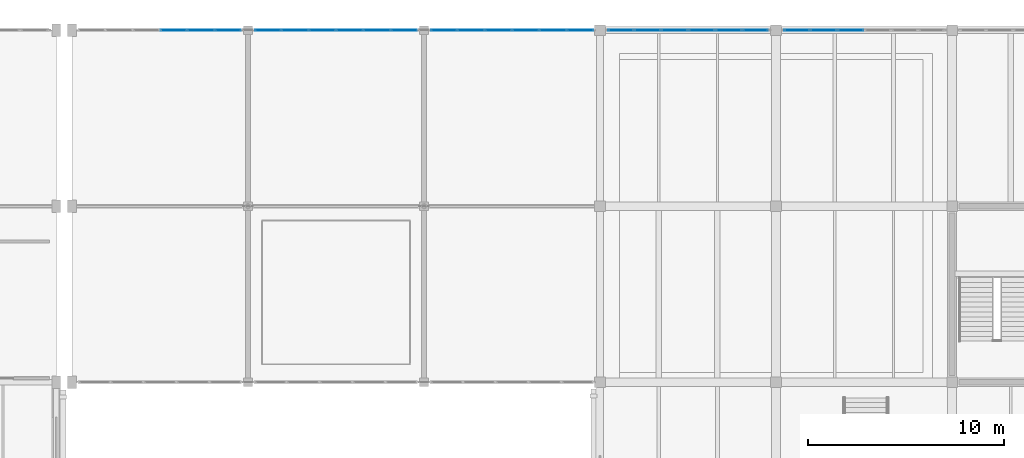
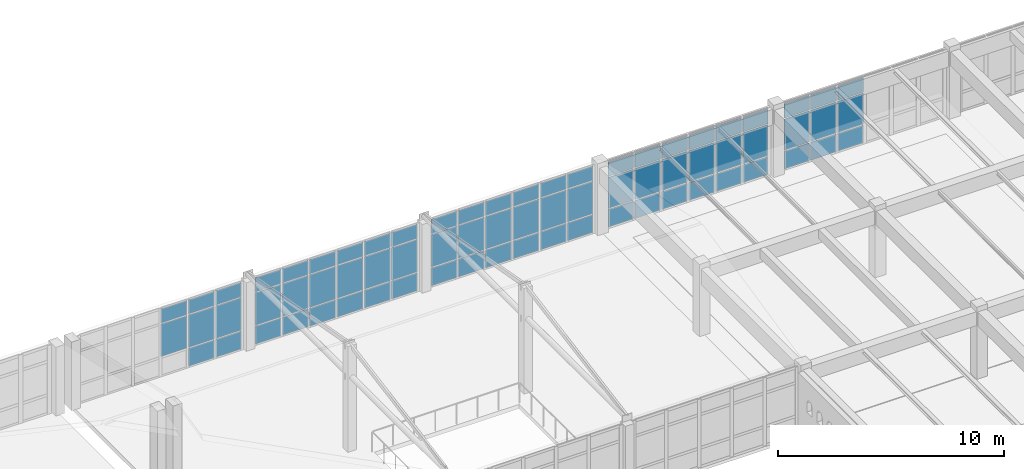
# One storey, part 122 of 156: 71 plates, 5 elements without a shape of their own.
"""IFC4 building model written with IfcOpenShell, lengths in metres."""

from ifc_helpers import new_model, si_unit, direction, frame, origin, origin_2d, place, context, subcontext, project, spatial, rectangle, extrude, material, layer, layer_set, type_object, element, aggregate, save


model = new_model("IFC4")

# Units and contexts
model_context = context("Model", 3, precision=1e-05, world=origin(), true_north=direction((0.0, 1.0)))
body_context = subcontext(model_context, "Body", "Model", "MODEL_VIEW")
ifc_project = project(units=[si_unit("LENGTHUNIT", "METRE"), si_unit("AREAUNIT", "SQUARE_METRE"), si_unit("VOLUMEUNIT", "CUBIC_METRE"), si_unit("PLANEANGLEUNIT", "RADIAN"), si_unit("MASSUNIT", "GRAM", prefix="KILO")], contexts=[model_context])

# Site, building, storey
site_placement = place(None, origin())
site = spatial("IfcSite", under=ifc_project, at=site_placement, CompositionType="ELEMENT")
building_placement = place(site_placement, origin())
building = spatial("IfcBuilding", under=site, at=building_placement, Name="Ornek Quay Market", CompositionType="ELEMENT")
storey_placement = place(building_placement, frame((0.0, 0.0, 4.5)))
storey = spatial("IfcBuildingStorey", under=building, at=storey_placement, Name="L01", CompositionType="ELEMENT", Elevation=4.5)

# Curtain wall, plates
ifc_material_1 = material(Name="Anodised bronze aluminium and triple low-e glass", Category="aluminium")
ifc_layer_1 = layer(ifc_material_1, 0.179931640625, Name="Anodised bronze aluminium and triple low-e glass", Category="aluminium")
ifc_layer_set_1 = layer_set([ifc_layer_1], Name="Anodised bronze aluminium and triple low-e glass")
curtain_wall_type_1 = type_object("IfcCurtainWallType", Name="CW-CONC-MOD1500", PredefinedType="USERDEFINED", material=ifc_layer_set_1)
curtain_wall_1_placement = place(storey_placement, origin())
curtain_wall_1 = element("IfcCurtainWall", 1, at=curtain_wall_1_placement, inside=storey, type_object=curtain_wall_type_1, Name="Curtain wall CW-033", ObjectType="CURTAIN WALL", PredefinedType="USERDEFINED")
ifc_material_2 = material(Name="Triple insulated low-e glass", Category="glass")
ifc_layer_2 = layer(ifc_material_2, 0.035888671875, Name="Triple insulated low-e glass", Category="glass")
ifc_layer_set_2 = layer_set([ifc_layer_2], Name="Triple insulated low-e glass")
plate_type = type_object("IfcPlateType", Name="PL-CW-TRIPLE-36", PredefinedType="CURTAIN_PANEL", material=ifc_layer_set_2)
plate_1_placement = place(storey_placement, frame((131.199951171875, 110.0, 1.080078125), z_axis=(0.0, 0.0, 1.0), x_axis=(1.0, 0.0, 0.0)))
plate_1 = element("IfcPlate", 2, at=plate_1_placement, type_object=plate_type, Name="CW-033 panel 4.2", PredefinedType="CURTAIN_PANEL", context=body_context, shape_type="SweptSolid", body=[
    extrude(rectangle(XDim=1.340087890625, YDim=0.035888671875, at=origin_2d()), origin(), (0.0, 0.0, 1.0), 1.75),
])
plate_2_placement = place(storey_placement, frame((131.199951171875, 110.0, 2.89013671875), z_axis=(0.0, 0.0, 1.0), x_axis=(1.0, 0.0, 0.0)))
plate_2 = element("IfcPlate", 3, at=plate_2_placement, type_object=plate_type, Name="CW-033 panel 4.3", PredefinedType="CURTAIN_PANEL", context=body_context, shape_type="SweptSolid", body=[
    extrude(rectangle(XDim=1.340087890625, YDim=0.035888671875, at=origin_2d()), origin(), (0.0, 0.0, 1.0), 0.760009765625),
])
plate_3_placement = place(storey_placement, frame((132.60009765625, 110.0, 0.06005859375), z_axis=(0.0, 0.0, 1.0), x_axis=(1.0, 0.0, 0.0)))
plate_3 = element("IfcPlate", 4, at=plate_3_placement, type_object=plate_type, Name="CW-033 panel 5.1", PredefinedType="CURTAIN_PANEL", context=body_context, shape_type="SweptSolid", body=[
    extrude(rectangle(XDim=1.340087890625, YDim=0.035888671875, at=origin_2d()), origin(), (0.0, 0.0, 1.0), 0.9599609375),
])
plate_4_placement = place(storey_placement, frame((132.60009765625, 110.0, 1.080078125), z_axis=(0.0, 0.0, 1.0), x_axis=(1.0, 0.0, 0.0)))
plate_4 = element("IfcPlate", 5, at=plate_4_placement, type_object=plate_type, Name="CW-033 panel 5.2", PredefinedType="CURTAIN_PANEL", context=body_context, shape_type="SweptSolid", body=[
    extrude(rectangle(XDim=1.340087890625, YDim=0.035888671875, at=origin_2d()), origin(), (0.0, 0.0, 1.0), 1.75),
])
plate_5_placement = place(storey_placement, frame((132.60009765625, 110.0, 2.89013671875), z_axis=(0.0, 0.0, 1.0), x_axis=(1.0, 0.0, 0.0)))
plate_5 = element("IfcPlate", 6, at=plate_5_placement, type_object=plate_type, Name="CW-033 panel 5.3", PredefinedType="CURTAIN_PANEL", context=body_context, shape_type="SweptSolid", body=[
    extrude(rectangle(XDim=1.340087890625, YDim=0.035888671875, at=origin_2d()), origin(), (0.0, 0.0, 1.0), 0.760009765625),
])
plate_6_placement = place(storey_placement, frame((133.985107421875, 110.0, 0.06005859375), z_axis=(0.0, 0.0, 1.0), x_axis=(1.0, 0.0, 0.0)))
plate_6 = element("IfcPlate", 7, at=plate_6_placement, type_object=plate_type, Name="CW-033 panel 6.1", PredefinedType="CURTAIN_PANEL", context=body_context, shape_type="SweptSolid", body=[
    extrude(rectangle(XDim=1.31005859375, YDim=0.035888671875, at=origin_2d()), origin(), (0.0, 0.0, 1.0), 0.9599609375),
])
plate_7_placement = place(storey_placement, frame((133.985107421875, 110.0, 1.080078125), z_axis=(0.0, 0.0, 1.0), x_axis=(1.0, 0.0, 0.0)))
plate_7 = element("IfcPlate", 8, at=plate_7_placement, type_object=plate_type, Name="CW-033 panel 6.2", PredefinedType="CURTAIN_PANEL", context=body_context, shape_type="SweptSolid", body=[
    extrude(rectangle(XDim=1.31005859375, YDim=0.035888671875, at=origin_2d()), origin(), (0.0, 0.0, 1.0), 1.75),
])
plate_8_placement = place(storey_placement, frame((133.985107421875, 110.0, 2.89013671875), z_axis=(0.0, 0.0, 1.0), x_axis=(1.0, 0.0, 0.0)))
plate_8 = element("IfcPlate", 9, at=plate_8_placement, type_object=plate_type, Name="CW-033 panel 6.3", PredefinedType="CURTAIN_PANEL", context=body_context, shape_type="SweptSolid", body=[
    extrude(rectangle(XDim=1.31005859375, YDim=0.035888671875, at=origin_2d()), origin(), (0.0, 0.0, 1.0), 0.760009765625),
])
aggregate(curtain_wall_1, [plate_1, plate_2, plate_3, plate_4, plate_5, plate_6, plate_7, plate_8])

curtain_wall_2_placement = place(storey_placement, origin())
curtain_wall_2 = element("IfcCurtainWall", 10, at=curtain_wall_2_placement, inside=storey, type_object=curtain_wall_type_1, Name="Curtain wall CW-037", ObjectType="CURTAIN WALL", PredefinedType="USERDEFINED")
plate_9_placement = place(storey_placement, frame((136.014892578125, 110.0, 0.06005859375), z_axis=(0.0, 0.0, 1.0), x_axis=(1.0, 0.0, 0.0)))
plate_9 = element("IfcPlate", 11, at=plate_9_placement, type_object=plate_type, Name="CW-037 panel 1.1", PredefinedType="CURTAIN_PANEL", context=body_context, shape_type="SweptSolid", body=[
    extrude(rectangle(XDim=1.31005859375, YDim=0.035888671875, at=origin_2d()), origin(), (0.0, 0.0, 1.0), 0.9599609375),
])
plate_10_placement = place(storey_placement, frame((136.014892578125, 110.0, 1.080078125), z_axis=(0.0, 0.0, 1.0), x_axis=(1.0, 0.0, 0.0)))
plate_10 = element("IfcPlate", 12, at=plate_10_placement, type_object=plate_type, Name="CW-037 panel 1.2", PredefinedType="CURTAIN_PANEL", context=body_context, shape_type="SweptSolid", body=[
    extrude(rectangle(XDim=1.31005859375, YDim=0.035888671875, at=origin_2d()), origin(), (0.0, 0.0, 1.0), 1.75),
])
plate_11_placement = place(storey_placement, frame((136.014892578125, 110.0, 2.89013671875), z_axis=(0.0, 0.0, 1.0), x_axis=(1.0, 0.0, 0.0)))
plate_11 = element("IfcPlate", 13, at=plate_11_placement, type_object=plate_type, Name="CW-037 panel 1.3", PredefinedType="CURTAIN_PANEL", context=body_context, shape_type="SweptSolid", body=[
    extrude(rectangle(XDim=1.31005859375, YDim=0.035888671875, at=origin_2d()), origin(), (0.0, 0.0, 1.0), 0.760009765625),
])
plate_12_placement = place(storey_placement, frame((137.39990234375, 110.0, 0.06005859375), z_axis=(0.0, 0.0, 1.0), x_axis=(1.0, 0.0, 0.0)))
plate_12 = element("IfcPlate", 14, at=plate_12_placement, type_object=plate_type, Name="CW-037 panel 2.1", PredefinedType="CURTAIN_PANEL", context=body_context, shape_type="SweptSolid", body=[
    extrude(rectangle(XDim=1.340087890625, YDim=0.035888671875, at=origin_2d()), origin(), (0.0, 0.0, 1.0), 0.9599609375),
])
plate_13_placement = place(storey_placement, frame((137.39990234375, 110.0, 1.080078125), z_axis=(0.0, 0.0, 1.0), x_axis=(1.0, 0.0, 0.0)))
plate_13 = element("IfcPlate", 15, at=plate_13_placement, type_object=plate_type, Name="CW-037 panel 2.2", PredefinedType="CURTAIN_PANEL", context=body_context, shape_type="SweptSolid", body=[
    extrude(rectangle(XDim=1.340087890625, YDim=0.035888671875, at=origin_2d()), origin(), (0.0, 0.0, 1.0), 1.75),
])
plate_14_placement = place(storey_placement, frame((137.39990234375, 110.0, 2.89013671875), z_axis=(0.0, 0.0, 1.0), x_axis=(1.0, 0.0, 0.0)))
plate_14 = element("IfcPlate", 16, at=plate_14_placement, type_object=plate_type, Name="CW-037 panel 2.3", PredefinedType="CURTAIN_PANEL", context=body_context, shape_type="SweptSolid", body=[
    extrude(rectangle(XDim=1.340087890625, YDim=0.035888671875, at=origin_2d()), origin(), (0.0, 0.0, 1.0), 0.760009765625),
])
plate_15_placement = place(storey_placement, frame((138.800048828125, 110.0, 0.06005859375), z_axis=(0.0, 0.0, 1.0), x_axis=(1.0, 0.0, 0.0)))
plate_15 = element("IfcPlate", 17, at=plate_15_placement, type_object=plate_type, Name="CW-037 panel 3.1", PredefinedType="CURTAIN_PANEL", context=body_context, shape_type="SweptSolid", body=[
    extrude(rectangle(XDim=1.340087890625, YDim=0.035888671875, at=origin_2d()), origin(), (0.0, 0.0, 1.0), 0.9599609375),
])
plate_16_placement = place(storey_placement, frame((138.800048828125, 110.0, 1.080078125), z_axis=(0.0, 0.0, 1.0), x_axis=(1.0, 0.0, 0.0)))
plate_16 = element("IfcPlate", 18, at=plate_16_placement, type_object=plate_type, Name="CW-037 panel 3.2", PredefinedType="CURTAIN_PANEL", context=body_context, shape_type="SweptSolid", body=[
    extrude(rectangle(XDim=1.340087890625, YDim=0.035888671875, at=origin_2d()), origin(), (0.0, 0.0, 1.0), 1.75),
])
plate_17_placement = place(storey_placement, frame((138.800048828125, 110.0, 2.89013671875), z_axis=(0.0, 0.0, 1.0), x_axis=(1.0, 0.0, 0.0)))
plate_17 = element("IfcPlate", 19, at=plate_17_placement, type_object=plate_type, Name="CW-037 panel 3.3", PredefinedType="CURTAIN_PANEL", context=body_context, shape_type="SweptSolid", body=[
    extrude(rectangle(XDim=1.340087890625, YDim=0.035888671875, at=origin_2d()), origin(), (0.0, 0.0, 1.0), 0.760009765625),
])
plate_18_placement = place(storey_placement, frame((140.199951171875, 110.0, 0.06005859375), z_axis=(0.0, 0.0, 1.0), x_axis=(1.0, 0.0, 0.0)))
plate_18 = element("IfcPlate", 20, at=plate_18_placement, type_object=plate_type, Name="CW-037 panel 4.1", PredefinedType="CURTAIN_PANEL", context=body_context, shape_type="SweptSolid", body=[
    extrude(rectangle(XDim=1.340087890625, YDim=0.035888671875, at=origin_2d()), origin(), (0.0, 0.0, 1.0), 0.9599609375),
])
plate_19_placement = place(storey_placement, frame((140.199951171875, 110.0, 1.080078125), z_axis=(0.0, 0.0, 1.0), x_axis=(1.0, 0.0, 0.0)))
plate_19 = element("IfcPlate", 21, at=plate_19_placement, type_object=plate_type, Name="CW-037 panel 4.2", PredefinedType="CURTAIN_PANEL", context=body_context, shape_type="SweptSolid", body=[
    extrude(rectangle(XDim=1.340087890625, YDim=0.035888671875, at=origin_2d()), origin(), (0.0, 0.0, 1.0), 1.75),
])
plate_20_placement = place(storey_placement, frame((140.199951171875, 110.0, 2.89013671875), z_axis=(0.0, 0.0, 1.0), x_axis=(1.0, 0.0, 0.0)))
plate_20 = element("IfcPlate", 22, at=plate_20_placement, type_object=plate_type, Name="CW-037 panel 4.3", PredefinedType="CURTAIN_PANEL", context=body_context, shape_type="SweptSolid", body=[
    extrude(rectangle(XDim=1.340087890625, YDim=0.035888671875, at=origin_2d()), origin(), (0.0, 0.0, 1.0), 0.760009765625),
])
plate_21_placement = place(storey_placement, frame((141.60009765625, 110.0, 0.06005859375), z_axis=(0.0, 0.0, 1.0), x_axis=(1.0, 0.0, 0.0)))
plate_21 = element("IfcPlate", 23, at=plate_21_placement, type_object=plate_type, Name="CW-037 panel 5.1", PredefinedType="CURTAIN_PANEL", context=body_context, shape_type="SweptSolid", body=[
    extrude(rectangle(XDim=1.340087890625, YDim=0.035888671875, at=origin_2d()), origin(), (0.0, 0.0, 1.0), 0.9599609375),
])
plate_22_placement = place(storey_placement, frame((141.60009765625, 110.0, 1.080078125), z_axis=(0.0, 0.0, 1.0), x_axis=(1.0, 0.0, 0.0)))
plate_22 = element("IfcPlate", 24, at=plate_22_placement, type_object=plate_type, Name="CW-037 panel 5.2", PredefinedType="CURTAIN_PANEL", context=body_context, shape_type="SweptSolid", body=[
    extrude(rectangle(XDim=1.340087890625, YDim=0.035888671875, at=origin_2d()), origin(), (0.0, 0.0, 1.0), 1.75),
])
plate_23_placement = place(storey_placement, frame((141.60009765625, 110.0, 2.89013671875), z_axis=(0.0, 0.0, 1.0), x_axis=(1.0, 0.0, 0.0)))
plate_23 = element("IfcPlate", 25, at=plate_23_placement, type_object=plate_type, Name="CW-037 panel 5.3", PredefinedType="CURTAIN_PANEL", context=body_context, shape_type="SweptSolid", body=[
    extrude(rectangle(XDim=1.340087890625, YDim=0.035888671875, at=origin_2d()), origin(), (0.0, 0.0, 1.0), 0.760009765625),
])
plate_24_placement = place(storey_placement, frame((142.985107421875, 110.0, 0.06005859375), z_axis=(0.0, 0.0, 1.0), x_axis=(1.0, 0.0, 0.0)))
plate_24 = element("IfcPlate", 26, at=plate_24_placement, type_object=plate_type, Name="CW-037 panel 6.1", PredefinedType="CURTAIN_PANEL", context=body_context, shape_type="SweptSolid", body=[
    extrude(rectangle(XDim=1.31005859375, YDim=0.035888671875, at=origin_2d()), origin(), (0.0, 0.0, 1.0), 0.9599609375),
])
plate_25_placement = place(storey_placement, frame((142.985107421875, 110.0, 1.080078125), z_axis=(0.0, 0.0, 1.0), x_axis=(1.0, 0.0, 0.0)))
plate_25 = element("IfcPlate", 27, at=plate_25_placement, type_object=plate_type, Name="CW-037 panel 6.2", PredefinedType="CURTAIN_PANEL", context=body_context, shape_type="SweptSolid", body=[
    extrude(rectangle(XDim=1.31005859375, YDim=0.035888671875, at=origin_2d()), origin(), (0.0, 0.0, 1.0), 1.75),
])
plate_26_placement = place(storey_placement, frame((142.985107421875, 110.0, 2.89013671875), z_axis=(0.0, 0.0, 1.0), x_axis=(1.0, 0.0, 0.0)))
plate_26 = element("IfcPlate", 28, at=plate_26_placement, type_object=plate_type, Name="CW-037 panel 6.3", PredefinedType="CURTAIN_PANEL", context=body_context, shape_type="SweptSolid", body=[
    extrude(rectangle(XDim=1.31005859375, YDim=0.035888671875, at=origin_2d()), origin(), (0.0, 0.0, 1.0), 0.760009765625),
])
aggregate(curtain_wall_2, [plate_9, plate_10, plate_11, plate_12, plate_13, plate_14, plate_15, plate_16, plate_17, plate_18, plate_19, plate_20, plate_21, plate_22, plate_23, plate_24, plate_25, plate_26])

curtain_wall_3_placement = place(storey_placement, origin())
curtain_wall_3 = element("IfcCurtainWall", 29, at=curtain_wall_3_placement, inside=storey, type_object=curtain_wall_type_1, Name="Curtain wall CW-041", ObjectType="CURTAIN WALL", PredefinedType="USERDEFINED")
plate_27_placement = place(storey_placement, frame((145.014892578125, 110.0, 0.06005859375), z_axis=(0.0, 0.0, 1.0), x_axis=(1.0, 0.0, 0.0)))
plate_27 = element("IfcPlate", 30, at=plate_27_placement, type_object=plate_type, Name="CW-041 panel 1.1", PredefinedType="CURTAIN_PANEL", context=body_context, shape_type="SweptSolid", body=[
    extrude(rectangle(XDim=1.31005859375, YDim=0.035888671875, at=origin_2d()), origin(), (0.0, 0.0, 1.0), 0.9599609375),
])
plate_28_placement = place(storey_placement, frame((145.014892578125, 110.0, 1.080078125), z_axis=(0.0, 0.0, 1.0), x_axis=(1.0, 0.0, 0.0)))
plate_28 = element("IfcPlate", 31, at=plate_28_placement, type_object=plate_type, Name="CW-041 panel 1.2", PredefinedType="CURTAIN_PANEL", context=body_context, shape_type="SweptSolid", body=[
    extrude(rectangle(XDim=1.31005859375, YDim=0.035888671875, at=origin_2d()), origin(), (0.0, 0.0, 1.0), 1.75),
])
plate_29_placement = place(storey_placement, frame((145.014892578125, 110.0, 2.89013671875), z_axis=(0.0, 0.0, 1.0), x_axis=(1.0, 0.0, 0.0)))
plate_29 = element("IfcPlate", 32, at=plate_29_placement, type_object=plate_type, Name="CW-041 panel 1.3", PredefinedType="CURTAIN_PANEL", context=body_context, shape_type="SweptSolid", body=[
    extrude(rectangle(XDim=1.31005859375, YDim=0.035888671875, at=origin_2d()), origin(), (0.0, 0.0, 1.0), 0.760009765625),
])
plate_30_placement = place(storey_placement, frame((146.39990234375, 110.0, 0.06005859375), z_axis=(0.0, 0.0, 1.0), x_axis=(1.0, 0.0, 0.0)))
plate_30 = element("IfcPlate", 33, at=plate_30_placement, type_object=plate_type, Name="CW-041 panel 2.1", PredefinedType="CURTAIN_PANEL", context=body_context, shape_type="SweptSolid", body=[
    extrude(rectangle(XDim=1.340087890625, YDim=0.035888671875, at=origin_2d()), origin(), (0.0, 0.0, 1.0), 0.9599609375),
])
plate_31_placement = place(storey_placement, frame((146.39990234375, 110.0, 1.080078125), z_axis=(0.0, 0.0, 1.0), x_axis=(1.0, 0.0, 0.0)))
plate_31 = element("IfcPlate", 34, at=plate_31_placement, type_object=plate_type, Name="CW-041 panel 2.2", PredefinedType="CURTAIN_PANEL", context=body_context, shape_type="SweptSolid", body=[
    extrude(rectangle(XDim=1.340087890625, YDim=0.035888671875, at=origin_2d()), origin(), (0.0, 0.0, 1.0), 1.75),
])
plate_32_placement = place(storey_placement, frame((146.39990234375, 110.0, 2.89013671875), z_axis=(0.0, 0.0, 1.0), x_axis=(1.0, 0.0, 0.0)))
plate_32 = element("IfcPlate", 35, at=plate_32_placement, type_object=plate_type, Name="CW-041 panel 2.3", PredefinedType="CURTAIN_PANEL", context=body_context, shape_type="SweptSolid", body=[
    extrude(rectangle(XDim=1.340087890625, YDim=0.035888671875, at=origin_2d()), origin(), (0.0, 0.0, 1.0), 0.760009765625),
])
plate_33_placement = place(storey_placement, frame((147.800048828125, 110.0, 0.06005859375), z_axis=(0.0, 0.0, 1.0), x_axis=(1.0, 0.0, 0.0)))
plate_33 = element("IfcPlate", 36, at=plate_33_placement, type_object=plate_type, Name="CW-041 panel 3.1", PredefinedType="CURTAIN_PANEL", context=body_context, shape_type="SweptSolid", body=[
    extrude(rectangle(XDim=1.340087890625, YDim=0.035888671875, at=origin_2d()), origin(), (0.0, 0.0, 1.0), 0.9599609375),
])
plate_34_placement = place(storey_placement, frame((147.800048828125, 110.0, 1.080078125), z_axis=(0.0, 0.0, 1.0), x_axis=(1.0, 0.0, 0.0)))
plate_34 = element("IfcPlate", 37, at=plate_34_placement, type_object=plate_type, Name="CW-041 panel 3.2", PredefinedType="CURTAIN_PANEL", context=body_context, shape_type="SweptSolid", body=[
    extrude(rectangle(XDim=1.340087890625, YDim=0.035888671875, at=origin_2d()), origin(), (0.0, 0.0, 1.0), 1.75),
])
plate_35_placement = place(storey_placement, frame((147.800048828125, 110.0, 2.89013671875), z_axis=(0.0, 0.0, 1.0), x_axis=(1.0, 0.0, 0.0)))
plate_35 = element("IfcPlate", 38, at=plate_35_placement, type_object=plate_type, Name="CW-041 panel 3.3", PredefinedType="CURTAIN_PANEL", context=body_context, shape_type="SweptSolid", body=[
    extrude(rectangle(XDim=1.340087890625, YDim=0.035888671875, at=origin_2d()), origin(), (0.0, 0.0, 1.0), 0.760009765625),
])
plate_36_placement = place(storey_placement, frame((149.199951171875, 110.0, 0.06005859375), z_axis=(0.0, 0.0, 1.0), x_axis=(1.0, 0.0, 0.0)))
plate_36 = element("IfcPlate", 39, at=plate_36_placement, type_object=plate_type, Name="CW-041 panel 4.1", PredefinedType="CURTAIN_PANEL", context=body_context, shape_type="SweptSolid", body=[
    extrude(rectangle(XDim=1.340087890625, YDim=0.035888671875, at=origin_2d()), origin(), (0.0, 0.0, 1.0), 0.9599609375),
])
plate_37_placement = place(storey_placement, frame((149.199951171875, 110.0, 1.080078125), z_axis=(0.0, 0.0, 1.0), x_axis=(1.0, 0.0, 0.0)))
plate_37 = element("IfcPlate", 40, at=plate_37_placement, type_object=plate_type, Name="CW-041 panel 4.2", PredefinedType="CURTAIN_PANEL", context=body_context, shape_type="SweptSolid", body=[
    extrude(rectangle(XDim=1.340087890625, YDim=0.035888671875, at=origin_2d()), origin(), (0.0, 0.0, 1.0), 1.75),
])
plate_38_placement = place(storey_placement, frame((149.199951171875, 110.0, 2.89013671875), z_axis=(0.0, 0.0, 1.0), x_axis=(1.0, 0.0, 0.0)))
plate_38 = element("IfcPlate", 41, at=plate_38_placement, type_object=plate_type, Name="CW-041 panel 4.3", PredefinedType="CURTAIN_PANEL", context=body_context, shape_type="SweptSolid", body=[
    extrude(rectangle(XDim=1.340087890625, YDim=0.035888671875, at=origin_2d()), origin(), (0.0, 0.0, 1.0), 0.760009765625),
])
plate_39_placement = place(storey_placement, frame((150.60009765625, 110.0, 0.06005859375), z_axis=(0.0, 0.0, 1.0), x_axis=(1.0, 0.0, 0.0)))
plate_39 = element("IfcPlate", 42, at=plate_39_placement, type_object=plate_type, Name="CW-041 panel 5.1", PredefinedType="CURTAIN_PANEL", context=body_context, shape_type="SweptSolid", body=[
    extrude(rectangle(XDim=1.340087890625, YDim=0.035888671875, at=origin_2d()), origin(), (0.0, 0.0, 1.0), 0.9599609375),
])
plate_40_placement = place(storey_placement, frame((150.60009765625, 110.0, 1.080078125), z_axis=(0.0, 0.0, 1.0), x_axis=(1.0, 0.0, 0.0)))
plate_40 = element("IfcPlate", 43, at=plate_40_placement, type_object=plate_type, Name="CW-041 panel 5.2", PredefinedType="CURTAIN_PANEL", context=body_context, shape_type="SweptSolid", body=[
    extrude(rectangle(XDim=1.340087890625, YDim=0.035888671875, at=origin_2d()), origin(), (0.0, 0.0, 1.0), 1.75),
])
plate_41_placement = place(storey_placement, frame((150.60009765625, 110.0, 2.89013671875), z_axis=(0.0, 0.0, 1.0), x_axis=(1.0, 0.0, 0.0)))
plate_41 = element("IfcPlate", 44, at=plate_41_placement, type_object=plate_type, Name="CW-041 panel 5.3", PredefinedType="CURTAIN_PANEL", context=body_context, shape_type="SweptSolid", body=[
    extrude(rectangle(XDim=1.340087890625, YDim=0.035888671875, at=origin_2d()), origin(), (0.0, 0.0, 1.0), 0.760009765625),
])
plate_42_placement = place(storey_placement, frame((151.985107421875, 110.0, 0.06005859375), z_axis=(0.0, 0.0, 1.0), x_axis=(1.0, 0.0, 0.0)))
plate_42 = element("IfcPlate", 45, at=plate_42_placement, type_object=plate_type, Name="CW-041 panel 6.1", PredefinedType="CURTAIN_PANEL", context=body_context, shape_type="SweptSolid", body=[
    extrude(rectangle(XDim=1.31005859375, YDim=0.035888671875, at=origin_2d()), origin(), (0.0, 0.0, 1.0), 0.9599609375),
])
plate_43_placement = place(storey_placement, frame((151.985107421875, 110.0, 1.080078125), z_axis=(0.0, 0.0, 1.0), x_axis=(1.0, 0.0, 0.0)))
plate_43 = element("IfcPlate", 46, at=plate_43_placement, type_object=plate_type, Name="CW-041 panel 6.2", PredefinedType="CURTAIN_PANEL", context=body_context, shape_type="SweptSolid", body=[
    extrude(rectangle(XDim=1.31005859375, YDim=0.035888671875, at=origin_2d()), origin(), (0.0, 0.0, 1.0), 1.75),
])
plate_44_placement = place(storey_placement, frame((151.985107421875, 110.0, 2.89013671875), z_axis=(0.0, 0.0, 1.0), x_axis=(1.0, 0.0, 0.0)))
plate_44 = element("IfcPlate", 47, at=plate_44_placement, type_object=plate_type, Name="CW-041 panel 6.3", PredefinedType="CURTAIN_PANEL", context=body_context, shape_type="SweptSolid", body=[
    extrude(rectangle(XDim=1.31005859375, YDim=0.035888671875, at=origin_2d()), origin(), (0.0, 0.0, 1.0), 0.760009765625),
])
aggregate(curtain_wall_3, [plate_27, plate_28, plate_29, plate_30, plate_31, plate_32, plate_33, plate_34, plate_35, plate_36, plate_37, plate_38, plate_39, plate_40, plate_41, plate_42, plate_43, plate_44])

ifc_layer_3 = layer(ifc_material_1, 0.18994140625, Name="Anodised bronze aluminium and triple low-e glass", Category="aluminium")
ifc_layer_set_3 = layer_set([ifc_layer_3], Name="Anodised bronze aluminium and triple low-e glass")
curtain_wall_type_2 = type_object("IfcCurtainWallType", Name="CW-FC-MOD1500", PredefinedType="USERDEFINED", material=ifc_layer_set_3)
curtain_wall_4_placement = place(storey_placement, origin())
curtain_wall_4 = element("IfcCurtainWall", 48, at=curtain_wall_4_placement, inside=storey, type_object=curtain_wall_type_2, Name="Curtain wall CW-083", ObjectType="CURTAIN WALL", PredefinedType="USERDEFINED")
plate_45_placement = place(storey_placement, frame((154.05908203125, 110.0, 0.06494140625), z_axis=(0.0, 0.0, 1.0), x_axis=(1.0, 0.0, 0.0)))
plate_45 = element("IfcPlate", 49, at=plate_45_placement, type_object=plate_type, Name="CW-083 panel 1.1", PredefinedType="CURTAIN_PANEL", context=body_context, shape_type="SweptSolid", body=[
    extrude(rectangle(XDim=1.2783203125, YDim=0.035888671875, at=origin_2d()), origin(), (0.0, 0.0, 1.0), 0.952392578125),
])
plate_46_placement = place(storey_placement, frame((154.05908203125, 110.0, 1.08251953125), z_axis=(0.0, 0.0, 1.0), x_axis=(1.0, 0.0, 0.0)))
plate_46 = element("IfcPlate", 50, at=plate_46_placement, type_object=plate_type, Name="CW-083 panel 1.2", PredefinedType="CURTAIN_PANEL", context=body_context, shape_type="SweptSolid", body=[
    extrude(rectangle(XDim=1.2783203125, YDim=0.035888671875, at=origin_2d()), origin(), (0.0, 0.0, 1.0), 1.6650390625),
])
plate_47_placement = place(storey_placement, frame((154.05908203125, 110.0, 2.8125), z_axis=(0.0, 0.0, 1.0), x_axis=(1.0, 0.0, 0.0)))
plate_47 = element("IfcPlate", 51, at=plate_47_placement, type_object=plate_type, Name="CW-083 panel 1.3", PredefinedType="CURTAIN_PANEL", context=body_context, shape_type="SweptSolid", body=[
    extrude(rectangle(XDim=1.2783203125, YDim=0.035888671875, at=origin_2d()), origin(), (0.0, 0.0, 1.0), 0.75244140625),
])
plate_48_placement = place(storey_placement, frame((155.425048828125, 110.0, 0.06494140625), z_axis=(0.0, 0.0, 1.0), x_axis=(1.0, 0.0, 0.0)))
plate_48 = element("IfcPlate", 52, at=plate_48_placement, type_object=plate_type, Name="CW-083 panel 2.1", PredefinedType="CURTAIN_PANEL", context=body_context, shape_type="SweptSolid", body=[
    extrude(rectangle(XDim=1.313232421875, YDim=0.035888671875, at=origin_2d()), origin(), (0.0, 0.0, 1.0), 0.952392578125),
])
plate_49_placement = place(storey_placement, frame((155.425048828125, 110.0, 1.08251953125), z_axis=(0.0, 0.0, 1.0), x_axis=(1.0, 0.0, 0.0)))
plate_49 = element("IfcPlate", 53, at=plate_49_placement, type_object=plate_type, Name="CW-083 panel 2.2", PredefinedType="CURTAIN_PANEL", context=body_context, shape_type="SweptSolid", body=[
    extrude(rectangle(XDim=1.313232421875, YDim=0.035888671875, at=origin_2d()), origin(), (0.0, 0.0, 1.0), 1.6650390625),
])
plate_50_placement = place(storey_placement, frame((155.425048828125, 110.0, 2.8125), z_axis=(0.0, 0.0, 1.0), x_axis=(1.0, 0.0, 0.0)))
plate_50 = element("IfcPlate", 54, at=plate_50_placement, type_object=plate_type, Name="CW-083 panel 2.3", PredefinedType="CURTAIN_PANEL", context=body_context, shape_type="SweptSolid", body=[
    extrude(rectangle(XDim=1.313232421875, YDim=0.035888671875, at=origin_2d()), origin(), (0.0, 0.0, 1.0), 0.75244140625),
])
plate_51_placement = place(storey_placement, frame((156.808349609375, 110.0, 0.06494140625), z_axis=(0.0, 0.0, 1.0), x_axis=(1.0, 0.0, 0.0)))
plate_51 = element("IfcPlate", 55, at=plate_51_placement, type_object=plate_type, Name="CW-083 panel 3.1", PredefinedType="CURTAIN_PANEL", context=body_context, shape_type="SweptSolid", body=[
    extrude(rectangle(XDim=1.313232421875, YDim=0.035888671875, at=origin_2d()), origin(), (0.0, 0.0, 1.0), 0.952392578125),
])
plate_52_placement = place(storey_placement, frame((156.808349609375, 110.0, 1.08251953125), z_axis=(0.0, 0.0, 1.0), x_axis=(1.0, 0.0, 0.0)))
plate_52 = element("IfcPlate", 56, at=plate_52_placement, type_object=plate_type, Name="CW-083 panel 3.2", PredefinedType="CURTAIN_PANEL", context=body_context, shape_type="SweptSolid", body=[
    extrude(rectangle(XDim=1.313232421875, YDim=0.035888671875, at=origin_2d()), origin(), (0.0, 0.0, 1.0), 1.6650390625),
])
plate_53_placement = place(storey_placement, frame((156.808349609375, 110.0, 2.8125), z_axis=(0.0, 0.0, 1.0), x_axis=(1.0, 0.0, 0.0)))
plate_53 = element("IfcPlate", 57, at=plate_53_placement, type_object=plate_type, Name="CW-083 panel 3.3", PredefinedType="CURTAIN_PANEL", context=body_context, shape_type="SweptSolid", body=[
    extrude(rectangle(XDim=1.313232421875, YDim=0.035888671875, at=origin_2d()), origin(), (0.0, 0.0, 1.0), 0.75244140625),
])
plate_54_placement = place(storey_placement, frame((158.191650390625, 110.0, 0.06494140625), z_axis=(0.0, 0.0, 1.0), x_axis=(1.0, 0.0, 0.0)))
plate_54 = element("IfcPlate", 58, at=plate_54_placement, type_object=plate_type, Name="CW-083 panel 4.1", PredefinedType="CURTAIN_PANEL", context=body_context, shape_type="SweptSolid", body=[
    extrude(rectangle(XDim=1.313232421875, YDim=0.035888671875, at=origin_2d()), origin(), (0.0, 0.0, 1.0), 0.952392578125),
])
plate_55_placement = place(storey_placement, frame((158.191650390625, 110.0, 1.08251953125), z_axis=(0.0, 0.0, 1.0), x_axis=(1.0, 0.0, 0.0)))
plate_55 = element("IfcPlate", 59, at=plate_55_placement, type_object=plate_type, Name="CW-083 panel 4.2", PredefinedType="CURTAIN_PANEL", context=body_context, shape_type="SweptSolid", body=[
    extrude(rectangle(XDim=1.313232421875, YDim=0.035888671875, at=origin_2d()), origin(), (0.0, 0.0, 1.0), 1.6650390625),
])
plate_56_placement = place(storey_placement, frame((158.191650390625, 110.0, 2.8125), z_axis=(0.0, 0.0, 1.0), x_axis=(1.0, 0.0, 0.0)))
plate_56 = element("IfcPlate", 60, at=plate_56_placement, type_object=plate_type, Name="CW-083 panel 4.3", PredefinedType="CURTAIN_PANEL", context=body_context, shape_type="SweptSolid", body=[
    extrude(rectangle(XDim=1.313232421875, YDim=0.035888671875, at=origin_2d()), origin(), (0.0, 0.0, 1.0), 0.75244140625),
])
plate_57_placement = place(storey_placement, frame((159.574951171875, 110.0, 0.06494140625), z_axis=(0.0, 0.0, 1.0), x_axis=(1.0, 0.0, 0.0)))
plate_57 = element("IfcPlate", 61, at=plate_57_placement, type_object=plate_type, Name="CW-083 panel 5.1", PredefinedType="CURTAIN_PANEL", context=body_context, shape_type="SweptSolid", body=[
    extrude(rectangle(XDim=1.313232421875, YDim=0.035888671875, at=origin_2d()), origin(), (0.0, 0.0, 1.0), 0.952392578125),
])
plate_58_placement = place(storey_placement, frame((159.574951171875, 110.0, 1.08251953125), z_axis=(0.0, 0.0, 1.0), x_axis=(1.0, 0.0, 0.0)))
plate_58 = element("IfcPlate", 62, at=plate_58_placement, type_object=plate_type, Name="CW-083 panel 5.2", PredefinedType="CURTAIN_PANEL", context=body_context, shape_type="SweptSolid", body=[
    extrude(rectangle(XDim=1.313232421875, YDim=0.035888671875, at=origin_2d()), origin(), (0.0, 0.0, 1.0), 1.6650390625),
])
plate_59_placement = place(storey_placement, frame((159.574951171875, 110.0, 2.8125), z_axis=(0.0, 0.0, 1.0), x_axis=(1.0, 0.0, 0.0)))
plate_59 = element("IfcPlate", 63, at=plate_59_placement, type_object=plate_type, Name="CW-083 panel 5.3", PredefinedType="CURTAIN_PANEL", context=body_context, shape_type="SweptSolid", body=[
    extrude(rectangle(XDim=1.313232421875, YDim=0.035888671875, at=origin_2d()), origin(), (0.0, 0.0, 1.0), 0.75244140625),
])
plate_60_placement = place(storey_placement, frame((160.94091796875, 110.0, 0.06494140625), z_axis=(0.0, 0.0, 1.0), x_axis=(1.0, 0.0, 0.0)))
plate_60 = element("IfcPlate", 64, at=plate_60_placement, type_object=plate_type, Name="CW-083 panel 6.1", PredefinedType="CURTAIN_PANEL", context=body_context, shape_type="SweptSolid", body=[
    extrude(rectangle(XDim=1.2783203125, YDim=0.035888671875, at=origin_2d()), origin(), (0.0, 0.0, 1.0), 0.952392578125),
])
plate_61_placement = place(storey_placement, frame((160.94091796875, 110.0, 1.08251953125), z_axis=(0.0, 0.0, 1.0), x_axis=(1.0, 0.0, 0.0)))
plate_61 = element("IfcPlate", 65, at=plate_61_placement, type_object=plate_type, Name="CW-083 panel 6.2", PredefinedType="CURTAIN_PANEL", context=body_context, shape_type="SweptSolid", body=[
    extrude(rectangle(XDim=1.2783203125, YDim=0.035888671875, at=origin_2d()), origin(), (0.0, 0.0, 1.0), 1.6650390625),
])
plate_62_placement = place(storey_placement, frame((160.94091796875, 110.0, 2.8125), z_axis=(0.0, 0.0, 1.0), x_axis=(1.0, 0.0, 0.0)))
plate_62 = element("IfcPlate", 66, at=plate_62_placement, type_object=plate_type, Name="CW-083 panel 6.3", PredefinedType="CURTAIN_PANEL", context=body_context, shape_type="SweptSolid", body=[
    extrude(rectangle(XDim=1.2783203125, YDim=0.035888671875, at=origin_2d()), origin(), (0.0, 0.0, 1.0), 0.75244140625),
])
aggregate(curtain_wall_4, [plate_45, plate_46, plate_47, plate_48, plate_49, plate_50, plate_51, plate_52, plate_53, plate_54, plate_55, plate_56, plate_57, plate_58, plate_59, plate_60, plate_61, plate_62])

curtain_wall_5_placement = place(storey_placement, origin())
curtain_wall_5 = element("IfcCurtainWall", 67, at=curtain_wall_5_placement, inside=storey, type_object=curtain_wall_type_2, Name="Curtain wall CW-084", ObjectType="CURTAIN WALL", PredefinedType="USERDEFINED")
plate_63_placement = place(storey_placement, frame((163.05908203125, 110.0, 0.06494140625), z_axis=(0.0, 0.0, 1.0), x_axis=(1.0, 0.0, 0.0)))
plate_63 = element("IfcPlate", 68, at=plate_63_placement, type_object=plate_type, Name="CW-084 panel 1.1", PredefinedType="CURTAIN_PANEL", context=body_context, shape_type="SweptSolid", body=[
    extrude(rectangle(XDim=1.2783203125, YDim=0.035888671875, at=origin_2d()), origin(), (0.0, 0.0, 1.0), 0.952392578125),
])
plate_64_placement = place(storey_placement, frame((163.05908203125, 110.0, 1.08251953125), z_axis=(0.0, 0.0, 1.0), x_axis=(1.0, 0.0, 0.0)))
plate_64 = element("IfcPlate", 69, at=plate_64_placement, type_object=plate_type, Name="CW-084 panel 1.2", PredefinedType="CURTAIN_PANEL", context=body_context, shape_type="SweptSolid", body=[
    extrude(rectangle(XDim=1.2783203125, YDim=0.035888671875, at=origin_2d()), origin(), (0.0, 0.0, 1.0), 1.6650390625),
])
plate_65_placement = place(storey_placement, frame((163.05908203125, 110.0, 2.8125), z_axis=(0.0, 0.0, 1.0), x_axis=(1.0, 0.0, 0.0)))
plate_65 = element("IfcPlate", 70, at=plate_65_placement, type_object=plate_type, Name="CW-084 panel 1.3", PredefinedType="CURTAIN_PANEL", context=body_context, shape_type="SweptSolid", body=[
    extrude(rectangle(XDim=1.2783203125, YDim=0.035888671875, at=origin_2d()), origin(), (0.0, 0.0, 1.0), 0.75244140625),
])
plate_66_placement = place(storey_placement, frame((164.425048828125, 110.0, 0.06494140625), z_axis=(0.0, 0.0, 1.0), x_axis=(1.0, 0.0, 0.0)))
plate_66 = element("IfcPlate", 71, at=plate_66_placement, type_object=plate_type, Name="CW-084 panel 2.1", PredefinedType="CURTAIN_PANEL", context=body_context, shape_type="SweptSolid", body=[
    extrude(rectangle(XDim=1.313232421875, YDim=0.035888671875, at=origin_2d()), origin(), (0.0, 0.0, 1.0), 0.952392578125),
])
plate_67_placement = place(storey_placement, frame((164.425048828125, 110.0, 1.08251953125), z_axis=(0.0, 0.0, 1.0), x_axis=(1.0, 0.0, 0.0)))
plate_67 = element("IfcPlate", 72, at=plate_67_placement, type_object=plate_type, Name="CW-084 panel 2.2", PredefinedType="CURTAIN_PANEL", context=body_context, shape_type="SweptSolid", body=[
    extrude(rectangle(XDim=1.313232421875, YDim=0.035888671875, at=origin_2d()), origin(), (0.0, 0.0, 1.0), 1.6650390625),
])
plate_68_placement = place(storey_placement, frame((164.425048828125, 110.0, 2.8125), z_axis=(0.0, 0.0, 1.0), x_axis=(1.0, 0.0, 0.0)))
plate_68 = element("IfcPlate", 73, at=plate_68_placement, type_object=plate_type, Name="CW-084 panel 2.3", PredefinedType="CURTAIN_PANEL", context=body_context, shape_type="SweptSolid", body=[
    extrude(rectangle(XDim=1.313232421875, YDim=0.035888671875, at=origin_2d()), origin(), (0.0, 0.0, 1.0), 0.75244140625),
])
plate_69_placement = place(storey_placement, frame((165.808349609375, 110.0, 0.06494140625), z_axis=(0.0, 0.0, 1.0), x_axis=(1.0, 0.0, 0.0)))
plate_69 = element("IfcPlate", 74, at=plate_69_placement, type_object=plate_type, Name="CW-084 panel 3.1", PredefinedType="CURTAIN_PANEL", context=body_context, shape_type="SweptSolid", body=[
    extrude(rectangle(XDim=1.313232421875, YDim=0.035888671875, at=origin_2d()), origin(), (0.0, 0.0, 1.0), 0.952392578125),
])
plate_70_placement = place(storey_placement, frame((165.808349609375, 110.0, 1.08251953125), z_axis=(0.0, 0.0, 1.0), x_axis=(1.0, 0.0, 0.0)))
plate_70 = element("IfcPlate", 75, at=plate_70_placement, type_object=plate_type, Name="CW-084 panel 3.2", PredefinedType="CURTAIN_PANEL", context=body_context, shape_type="SweptSolid", body=[
    extrude(rectangle(XDim=1.313232421875, YDim=0.035888671875, at=origin_2d()), origin(), (0.0, 0.0, 1.0), 1.6650390625),
])
plate_71_placement = place(storey_placement, frame((165.808349609375, 110.0, 2.8125), z_axis=(0.0, 0.0, 1.0), x_axis=(1.0, 0.0, 0.0)))
plate_71 = element("IfcPlate", 76, at=plate_71_placement, type_object=plate_type, Name="CW-084 panel 3.3", PredefinedType="CURTAIN_PANEL", context=body_context, shape_type="SweptSolid", body=[
    extrude(rectangle(XDim=1.313232421875, YDim=0.035888671875, at=origin_2d()), origin(), (0.0, 0.0, 1.0), 0.75244140625),
])
aggregate(curtain_wall_5, [plate_63, plate_64, plate_65, plate_66, plate_67, plate_68, plate_69, plate_70, plate_71])

save(model, "model.ifc")
